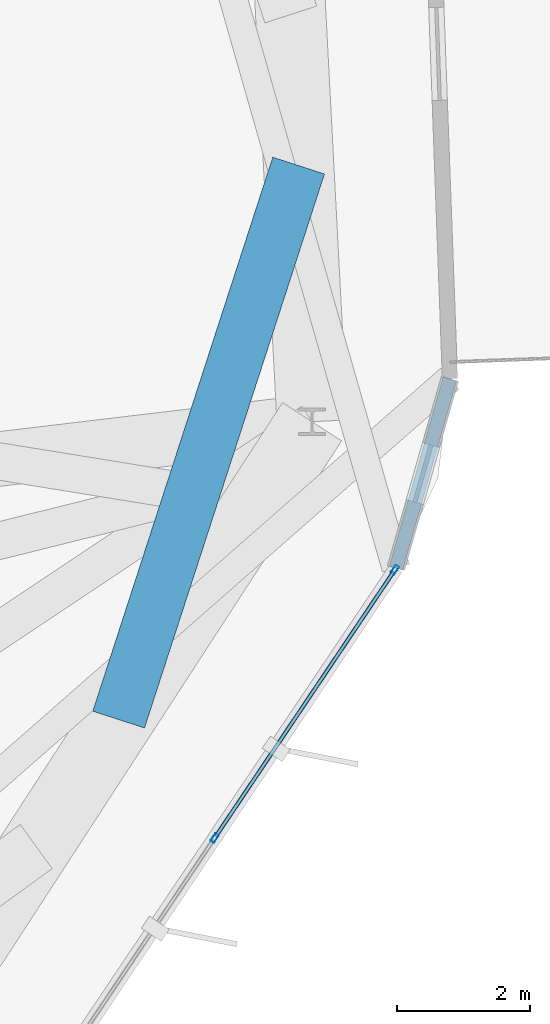
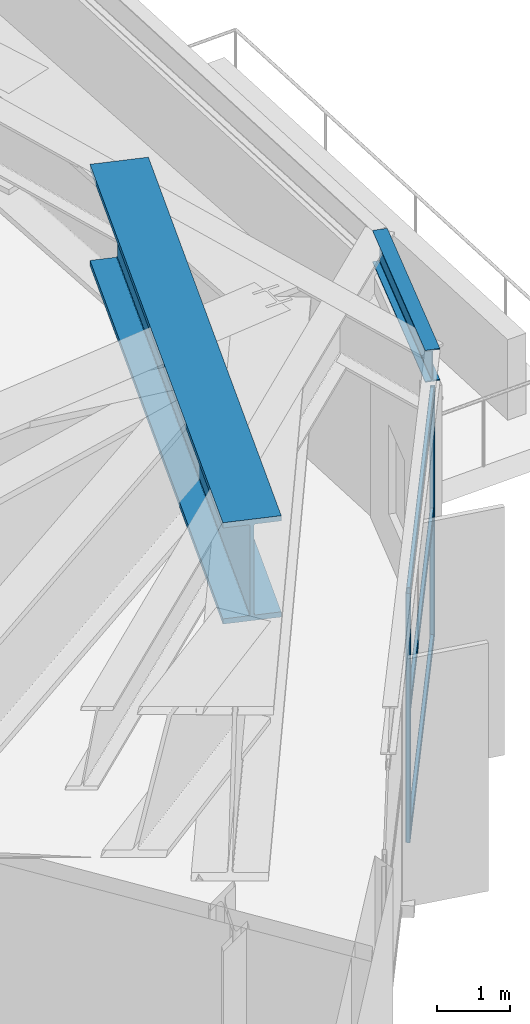
# One storey, part 15 of 30: 5 members, 2 beams, 1 element without a shape of its own.
"""IFC4 building model written with IfcOpenShell, lengths in metres."""

from ifc_helpers import new_model, si_unit, direction, frame, origin, origin_2d, place, context, subcontext, project, spatial, hollow_rectangle, i_section, extrude, material, layer, layer_set, material_profile, profile_set, type_object, element, aggregate, save


model = new_model("IFC4")

# Units and contexts
model_context = context("Model", 3, precision=1e-05, world=origin(), true_north=direction((0.0, 1.0)))
body_context = subcontext(model_context, "Body", "Model", "MODEL_VIEW")
ifc_project = project(units=[si_unit("LENGTHUNIT", "METRE"), si_unit("AREAUNIT", "SQUARE_METRE"), si_unit("VOLUMEUNIT", "CUBIC_METRE"), si_unit("PLANEANGLEUNIT", "RADIAN"), si_unit("MASSUNIT", "GRAM", prefix="KILO")], contexts=[model_context])

# Site, building, storey
site_placement = place(None, origin())
site = spatial("IfcSite", under=ifc_project, at=site_placement, CompositionType="ELEMENT")
building_placement = place(site_placement, origin())
building = spatial("IfcBuilding", under=site, at=building_placement, Name="Soratama Intermodal Tower", CompositionType="ELEMENT")
storey_placement = place(building_placement, frame((0.0, 0.0, 237.39990234375)))
storey = spatial("IfcBuildingStorey", under=building, at=storey_placement, Name="L60", CompositionType="ELEMENT", Elevation=237.39990234375)

# Beams
ifc_material_1 = material(Name="Structural steel ASTM A992 Grade 50", Category="steel")
ifc_material_profile_1 = material_profile(ifc_material_1, i_section(OverallWidth=0.2099609375, OverallDepth=0.537109375, WebThickness=0.010986328125, FlangeThickness=0.017333984375, FilletRadius=0.012939453125, at=origin_2d()), Name="W21X68")
ifc_profile_set_1 = profile_set([ifc_material_profile_1], Name="Structural steel ASTM A992 Grade 50")
beam_type_1 = type_object("IfcBeamType", Name="BM-SPN-W21X68", PredefinedType="SPANDREL", material=ifc_profile_set_1)
beam_1_placement = place(storey_placement, frame((64.23095703125, 17.97998046875, 4.531494140625), z_axis=(0.273742656726, 0.961802972489, 0.0), x_axis=(-0.961802972489, 0.273742656726, 0.0)))
element("IfcBeam", 1, at=beam_1_placement, inside=storey, type_object=beam_type_1, Name="BS-L60-CRN08", PredefinedType="SPANDREL", context=body_context, shape_type="SweptSolid", body=[
    extrude(i_section(OverallWidth=0.2099609375, OverallDepth=0.537109375, WebThickness=0.010986328125, FlangeThickness=0.017333984375, FilletRadius=0.012939453125, at=origin_2d()), origin(), (0.0, 0.0, 1.0), 2.96630859375),
])
ifc_material_2 = material(Name="Structural steel ASTM A992 Grade 50", Category="steel")
ifc_material_profile_2 = material_profile(ifc_material_2, i_section(OverallWidth=0.820068359375, OverallDepth=1.699951171875, WebThickness=0.053955078125, FlangeThickness=0.087890625, FilletRadius=0.02392578125, at=origin_2d()), Name="PG1580X800")
ifc_profile_set_2 = profile_set([ifc_material_profile_2], Name="Structural steel ASTM A992 Grade 50")
beam_type_2 = type_object("IfcBeamType", Name="BM-ZSTEP-PG1580", PredefinedType="BEAM", material=ifc_profile_set_2)
beam_2_placement = place(storey_placement, frame((60.052001953125, 15.697998046875, 3.9501953125), z_axis=(0.308967200414, 0.951072693893, 0.0), x_axis=(-0.951072693893, 0.308967200414, 0.0)))
element("IfcBeam", 2, at=beam_2_placement, inside=storey, type_object=beam_type_2, Name="BM-L60-ZCHORD-10", PredefinedType="BEAM", context=body_context, shape_type="SweptSolid", body=[
    extrude(i_section(OverallWidth=0.820068359375, OverallDepth=1.699951171875, WebThickness=0.053955078125, FlangeThickness=0.087890625, FilletRadius=0.02392578125, at=origin_2d()), origin(), (0.0, 0.0, 1.0), 8.77734375),
])

# Curtain wall, members
ifc_material_3 = material(Name="Double-glazed aluminium curtain wall", Category="aluminium")
ifc_layer = layer(ifc_material_3, 0.159912109375)
ifc_layer_set = layer_set([ifc_layer], Name="Double-glazed aluminium curtain wall")
curtain_wall_type = type_object("IfcCurtainWallType", Name="CW-SYS-5", PredefinedType="NOTDEFINED", material=ifc_layer_set)
curtain_wall_placement = place(storey_placement, origin())
curtain_wall = element("IfcCurtainWall", 3, at=curtain_wall_placement, inside=storey, type_object=curtain_wall_type, Name="L60 Faceted Curtain Wall F08", PredefinedType="NOTDEFINED")
ifc_material_4 = material(Name="Anodised aluminium AA 6063-T6", Category="aluminium")
ifc_material_profile_3 = material_profile(ifc_material_4, hollow_rectangle(XDim=0.06494140625, YDim=0.139892578125, WallThickness=0.0048828125, InnerFilletRadius=0.0048828125, OuterFilletRadius=0.010009765625, at=origin_2d()), Name="CWM140X65X5")
ifc_profile_set_3 = profile_set([ifc_material_profile_3], Name="Anodised aluminium AA 6063-T6")
member_type_1 = type_object("IfcMemberType", Name="MT-CWM-5", PredefinedType="MULLION", material=ifc_profile_set_3)
member_1_placement = place(storey_placement, frame((61.498291015625, 13.913818359375, 0.0), z_axis=(0.0, 0.0, 1.0), x_axis=(-0.830012833984, 0.557744292147, 0.0)))
member_1 = element("IfcMember", 4, at=member_1_placement, type_object=member_type_1, Name="CW-5 mullion 2", PredefinedType="MULLION", context=body_context, shape_type="SweptSolid", body=[
    extrude(hollow_rectangle(XDim=0.06494140625, YDim=0.139892578125, WallThickness=0.0048828125, InnerFilletRadius=0.0048828125, OuterFilletRadius=0.010009765625, at=origin_2d()), origin(), (0.0, 0.0, 1.0), 4.17919921875),
])
member_2_placement = place(storey_placement, frame((64.2138671875, 17.954833984375, 0.0), z_axis=(0.0, 0.0, 1.0), x_axis=(-0.830012833984, 0.557744292147, 0.0)))
member_2 = element("IfcMember", 5, at=member_2_placement, type_object=member_type_1, Name="CW-5 mullion 3", PredefinedType="MULLION", context=body_context, shape_type="SweptSolid", body=[
    extrude(hollow_rectangle(XDim=0.06494140625, YDim=0.139892578125, WallThickness=0.0048828125, InnerFilletRadius=0.0048828125, OuterFilletRadius=0.010009765625, at=origin_2d()), origin(), (0.0, 0.0, 1.0), 4.17919921875),
])
ifc_material_5 = material(Name="Anodised aluminium AA 6063-T6", Category="aluminium")
ifc_material_profile_4 = material_profile(ifc_material_5, hollow_rectangle(XDim=0.06005859375, YDim=0.1298828125, WallThickness=0.0048828125, InnerFilletRadius=0.0048828125, OuterFilletRadius=0.010009765625, at=origin_2d()), Name="CWT130X60X5")
ifc_profile_set_4 = profile_set([ifc_material_profile_4], Name="Anodised aluminium AA 6063-T6")
member_type_2 = type_object("IfcMemberType", Name="TT-CWT-2", PredefinedType="USERDEFINED", material=ifc_profile_set_4)
member_3_placement = place(storey_placement, frame((61.514892578125, 13.938720703125, 0.030029296875), z_axis=(0.557766091375, 0.829998185126, 0.0), x_axis=(-0.829998185126, 0.557766091375, 0.0)))
member_3 = element("IfcMember", 6, at=member_3_placement, type_object=member_type_2, Name="CW-5 transom 2.1", ObjectType="TRANSOM", PredefinedType="USERDEFINED", context=body_context, shape_type="SweptSolid", body=[
    extrude(hollow_rectangle(XDim=0.06005859375, YDim=0.1298828125, WallThickness=0.0048828125, InnerFilletRadius=0.0048828125, OuterFilletRadius=0.010009765625, at=origin_2d()), origin(), (0.0, 0.0, 1.0), 4.80859375),
])
member_4_placement = place(storey_placement, frame((61.514892578125, 13.938720703125, 2.150146484375), z_axis=(0.557766091375, 0.829998185126, 0.0), x_axis=(-0.829998185126, 0.557766091375, 0.0)))
member_4 = element("IfcMember", 7, at=member_4_placement, type_object=member_type_2, Name="CW-5 transom 2.2", ObjectType="TRANSOM", PredefinedType="USERDEFINED", context=body_context, shape_type="SweptSolid", body=[
    extrude(hollow_rectangle(XDim=0.06005859375, YDim=0.1298828125, WallThickness=0.0048828125, InnerFilletRadius=0.0048828125, OuterFilletRadius=0.010009765625, at=origin_2d()), origin(), (0.0, 0.0, 1.0), 4.80859375),
])
member_5_placement = place(storey_placement, frame((61.514892578125, 13.938720703125, 4.149169921875), z_axis=(0.557766091375, 0.829998185126, 0.0), x_axis=(-0.829998185126, 0.557766091375, 0.0)))
member_5 = element("IfcMember", 8, at=member_5_placement, type_object=member_type_2, Name="CW-5 transom 2.3", ObjectType="TRANSOM", PredefinedType="USERDEFINED", context=body_context, shape_type="SweptSolid", body=[
    extrude(hollow_rectangle(XDim=0.06005859375, YDim=0.1298828125, WallThickness=0.0048828125, InnerFilletRadius=0.0048828125, OuterFilletRadius=0.010009765625, at=origin_2d()), origin(), (0.0, 0.0, 1.0), 4.80859375),
])
aggregate(curtain_wall, [member_1, member_2, member_3, member_4, member_5])

save(model, "model.ifc")
